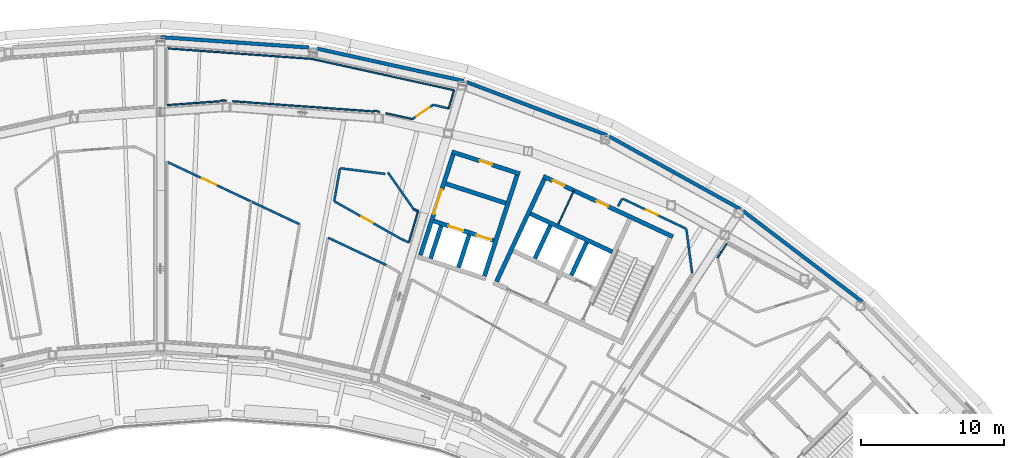
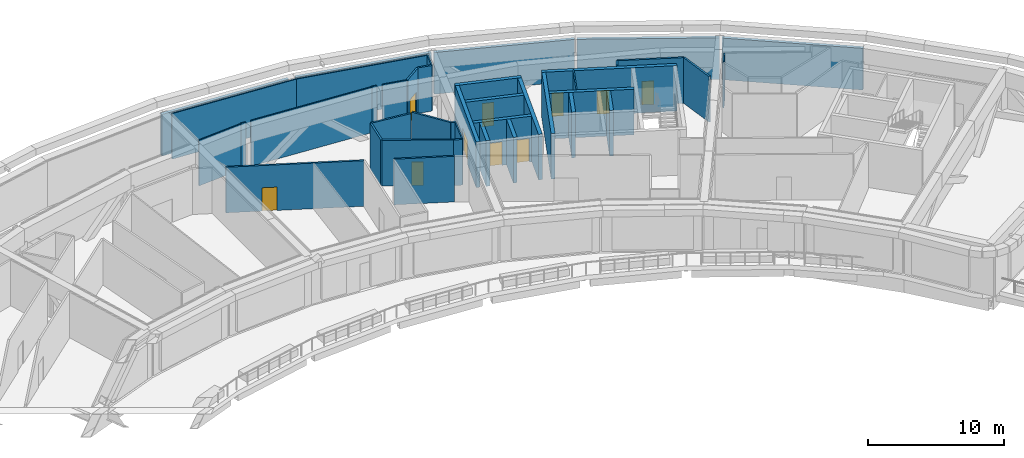
# One storey, part 11 of 24: 41 walls, 10 doors, 10 openings.
"""IFC4 building model written with IfcOpenShell, lengths in metres."""

from ifc_helpers import new_model, si_unit, direction, frame, frame_2d, origin, place, context, subcontext, project, spatial, rectangle, extrude, material, layer, layer_set, type_object, element, fill, save


model = new_model("IFC4")

# Units and contexts
model_context = context("Model", 3, precision=1e-05, world=origin(), true_north=direction((0.0, 1.0)))
body_context = subcontext(model_context, "Body", "Model", "MODEL_VIEW")
ifc_project = project(units=[si_unit("LENGTHUNIT", "METRE"), si_unit("AREAUNIT", "SQUARE_METRE"), si_unit("VOLUMEUNIT", "CUBIC_METRE"), si_unit("PLANEANGLEUNIT", "RADIAN"), si_unit("MASSUNIT", "GRAM", prefix="KILO")], contexts=[model_context])

# Site, building, storey
site_placement = place(None, origin())
site = spatial("IfcSite", under=ifc_project, at=site_placement, CompositionType="ELEMENT")
building_placement = place(site_placement, origin())
building = spatial("IfcBuilding", under=site, at=building_placement, Name="Tuul Gate Civic Tower", CompositionType="ELEMENT")
storey_placement = place(building_placement, frame((0.0, 0.0, 315.199951171875)))
storey = spatial("IfcBuildingStorey", under=building, at=storey_placement, Name="Plant and refuge floor 7", CompositionType="ELEMENT", Elevation=315.199951171875)

# Wall
ifc_material_1 = material(Name="Concrete C50/60", Category="concrete")
ifc_layer_1 = layer(ifc_material_1, 0.300048828125)
ifc_layer_set_1 = layer_set([ifc_layer_1], Name="Concrete C50/60")
wall_type_1 = type_object("IfcWallType", Name="Core wall C50/60", PredefinedType="SHEAR", material=ifc_layer_set_1)
wall_1_placement = place(storey_placement, frame((33.75, -0.873779296875, 0.0), z_axis=(0.0, 0.0, 1.0), x_axis=(-0.906300917592, 0.422632992999, 0.0)))
element("IfcWall", 1, at=wall_1_placement, inside=storey, type_object=wall_type_1, Name="Core wall", PredefinedType="SHEAR", context=body_context, shape_type="SweptSolid", body=[
    extrude(rectangle(XDim=6.300048828125, YDim=0.300048828125, at=frame_2d((3.14990234375, 0.0))), origin(), (0.0, 0.0, 1.0), 4.10009765625),
])

# Wall, openings, doors
wall_2_placement = place(storey_placement, frame((37.993408203125, 0.181884765625, 0.0), z_axis=(0.0, 0.0, 1.0), x_axis=(-0.906310338845, 0.422612789327, 0.0)))
wall_2 = element("IfcWall", 2, at=wall_2_placement, inside=storey, type_object=wall_type_1, Name="Core wall", PredefinedType="SHEAR", context=body_context, shape_type="SweptSolid", body=[
    extrude(rectangle(XDim=9.999755859375, YDim=0.300048828125, at=frame_2d((5.0, 0.0))), origin(), (0.0, 0.0, 1.0), 4.10009765625),
])
opening_1_placement = place(wall_2_placement, frame((4.99365234375, 0.0, 0.0)))
opening_1 = element("IfcOpeningElement", 3, at=opening_1_placement, cuts=wall_2, Name="Opening PC-D26", PredefinedType="OPENING", context=body_context, shape_type="SweptSolid", body=[
    extrude(rectangle(XDim=0.89990234375, YDim=2.10009765625, at=frame_2d((0.449951171875, 1.050048828125))), frame((0.0, 0.16015625, 0.0), z_axis=(0.0, -1.0, 0.0), x_axis=(1.0, 0.0, 0.0)), (0.0, 0.0, 1.0), 0.320068359375),
])
opening_2_placement = place(wall_2_placement, frame((8.368896484375, 0.0, 0.0)))
opening_2 = element("IfcOpeningElement", 4, at=opening_2_placement, cuts=wall_2, Name="Opening PC-D27", PredefinedType="OPENING", context=body_context, shape_type="SweptSolid", body=[
    extrude(rectangle(XDim=0.89990234375, YDim=2.10009765625, at=frame_2d((0.449951171875, 1.050048828125))), frame((0.0, 0.16015625, 0.0), z_axis=(0.0, -1.0, 0.0), x_axis=(1.0, 0.0, 0.0)), (0.0, 0.0, 1.0), 0.320068359375),
])
ifc_material_2 = material(Name="Timber door leaf", Category="wood")
door_type_1 = type_object("IfcDoorType", Name="Door D09", OperationType="NOTDEFINED", PredefinedType="DOOR", material=ifc_material_2)
door_1_placement = place(opening_1_placement, origin())
door_1 = element("IfcDoor", 5, at=door_1_placement, inside=storey, type_object=door_type_1, Name="Door PC-D26", OperationType="SINGLE_SWING_LEFT", OverallHeight=2.10009765625, OverallWidth=0.89990234375, PredefinedType="DOOR", context=body_context, shape_type="SweptSolid", body=[
    extrude(rectangle(XDim=0.89990234375, YDim=2.10009765625, at=frame_2d((0.449951171875, 1.050048828125))), frame((0.0, 0.02490234375, 0.0), z_axis=(0.0, -1.0, 0.0), x_axis=(1.0, 0.0, 0.0)), (0.0, 0.0, 1.0), 0.050048828125),
])
fill(opening_1, door_1)
door_2_placement = place(opening_2_placement, origin())
door_2 = element("IfcDoor", 6, at=door_2_placement, inside=storey, type_object=door_type_1, Name="Door PC-D27", OperationType="SINGLE_SWING_RIGHT", OverallHeight=2.10009765625, OverallWidth=0.89990234375, PredefinedType="DOOR", context=body_context, shape_type="SweptSolid", body=[
    extrude(rectangle(XDim=0.89990234375, YDim=2.10009765625, at=frame_2d((0.449951171875, 1.050048828125))), frame((0.0, 0.02490234375, 0.0), z_axis=(0.0, -1.0, 0.0), x_axis=(1.0, 0.0, 0.0)), (0.0, 0.0, 1.0), 0.050048828125),
])
fill(opening_2, door_2)

# Walls
for number, where, z_axis, x_axis, name in (
    (7, (30.886962890625, -2.517822265625, 0.0), (0.0, 0.0, 1.0), (0.422612891016, 0.906310291427, 0.0), "Core wall"),
    (8, (28.349365234375, -1.33447265625, 0.0), (0.0, 0.0, 1.0), (0.422612891016, 0.906310291427, 0.0), "Core wall"),
):
    element("IfcWall", number, at=place(storey_placement, frame(where, z_axis=z_axis, x_axis=x_axis)), inside=storey, type_object=wall_type_1, Name=name, PredefinedType="SHEAR", context=body_context, shape_type="SweptSolid", body=[
        extrude(rectangle(XDim=2.550048828125, YDim=0.300048828125, at=frame_2d((1.27490234375, 0.0))), origin(), (0.0, 0.0, 1.0), 4.10009765625),
    ])
wall_3_placement = place(storey_placement, frame((25.66455078125, -2.951416015625, 0.0), z_axis=(0.0, 0.0, 1.0), x_axis=(0.422582604137, 0.906324413596, 0.0)))
element("IfcWall", 9, at=wall_3_placement, inside=storey, type_object=wall_type_1, Name="Core wall", PredefinedType="SHEAR", context=body_context, shape_type="SweptSolid", body=[
    extrude(rectangle(XDim=7.89990234375, YDim=0.300048828125, at=frame_2d((3.949951171875, 0.0))), origin(), (0.0, 0.0, 1.0), 4.10009765625),
])
ifc_material_3 = material(Name="Gypsum board partition")
ifc_layer_2 = layer(ifc_material_3, 0.14990234375)
ifc_layer_set_2 = layer_set([ifc_layer_2], Name="Gypsum board partition")
wall_type_2 = type_object("IfcWallType", Name="Corridor wall P150", PredefinedType="PARTITIONING", material=ifc_layer_set_2)
wall_4_placement = place(storey_placement, frame((34.1494140625, 2.30615234375, 0.0), z_axis=(0.0, 0.0, 1.0), x_axis=(0.48020412013, 0.877156772197, 0.0)))
element("IfcWall", 10, at=wall_4_placement, inside=storey, type_object=wall_type_2, Name="p006", PredefinedType="PARTITIONING", context=body_context, shape_type="SweptSolid", body=[
    extrude(rectangle(XDim=0.60693359375, YDim=0.14990234375, at=frame_2d((0.303466796875, 0.0))), origin(), (0.0, 0.0, 1.0), 4.10009765625),
])

# Wall, opening, door
wall_5_placement = place(storey_placement, frame((34.467041015625, 2.84716796875, 0.0), z_axis=(0.0, 0.0, 1.0), x_axis=(0.903938539412, -0.427662386663, 0.0)))
wall_5 = element("IfcWall", 11, at=wall_5_placement, inside=storey, type_object=wall_type_2, Name="p007", PredefinedType="PARTITIONING", context=body_context, shape_type="SweptSolid", body=[
    extrude(rectangle(XDim=4.926513671875, YDim=0.14990234375, at=frame_2d((2.46337890625, 0.0))), origin(), (0.0, 0.0, 1.0), 4.10009765625),
])
opening_3_placement = place(wall_5_placement, frame((1.81298828125, 0.0, 0.0)))
opening_3 = element("IfcOpeningElement", 12, at=opening_3_placement, cuts=wall_5, Name="Opening PC-D02", PredefinedType="OPENING", context=body_context, shape_type="SweptSolid", body=[
    extrude(rectangle(XDim=0.89990234375, YDim=2.10009765625, at=frame_2d((0.449951171875, 1.050048828125))), frame((0.0, 0.0849609375, 0.0), z_axis=(0.0, -1.0, 0.0), x_axis=(1.0, 0.0, 0.0)), (0.0, 0.0, 1.0), 0.169921875),
])
door_3_placement = place(opening_3_placement, origin())
door_3 = element("IfcDoor", 13, at=door_3_placement, inside=storey, type_object=door_type_1, Name="Door PC-D02", OperationType="SINGLE_SWING_RIGHT", OverallHeight=2.10009765625, OverallWidth=0.89990234375, PredefinedType="DOOR", context=body_context, shape_type="SweptSolid", body=[
    extrude(rectangle(XDim=0.89990234375, YDim=2.10009765625, at=frame_2d((0.449951171875, 1.050048828125))), frame((0.0, 0.02490234375, 0.0), z_axis=(0.0, -1.0, 0.0), x_axis=(1.0, 0.0, 0.0)), (0.0, 0.0, 1.0), 0.050048828125),
])
fill(opening_3, door_3)

# Wall
wall_6_placement = place(storey_placement, frame((38.931640625, 0.724853515625, 0.0), z_axis=(0.0, 0.0, 1.0), x_axis=(0.129503397269, -0.991578978244, 0.0)))
element("IfcWall", 14, at=wall_6_placement, inside=storey, type_object=wall_type_2, Name="p008", PredefinedType="PARTITIONING", context=body_context, shape_type="SweptSolid", body=[
    extrude(rectangle(XDim=3.1142578125, YDim=0.14990234375, at=frame_2d((1.55712890625, 0.0))), origin(), (0.0, 0.0, 1.0), 4.10009765625),
])

# Wall, opening, door
wall_7_placement = place(storey_placement, frame((14.332763671875, 2.6591796875, 0.0), z_axis=(0.0, 0.0, 1.0), x_axis=(0.870659601217, -0.491886022173, 0.0)))
wall_7 = element("IfcWall", 15, at=wall_7_placement, inside=storey, type_object=wall_type_2, Name="p010", PredefinedType="PARTITIONING", context=body_context, shape_type="SweptSolid", body=[
    extrude(rectangle(XDim=5.26220703125, YDim=0.14990234375, at=frame_2d((2.631103515625, 0.0))), origin(), (0.0, 0.0, 1.0), 4.10009765625),
])
opening_4_placement = place(wall_7_placement, frame((2.18115234375, 0.0, 0.0)))
opening_4 = element("IfcOpeningElement", 16, at=opening_4_placement, cuts=wall_7, Name="Opening PC-D03", PredefinedType="OPENING", context=body_context, shape_type="SweptSolid", body=[
    extrude(rectangle(XDim=0.89990234375, YDim=2.10009765625, at=frame_2d((0.449951171875, 1.050048828125))), frame((0.0, 0.0849609375, 0.0), z_axis=(0.0, -1.0, 0.0), x_axis=(1.0, 0.0, 0.0)), (0.0, 0.0, 1.0), 0.169921875),
])
door_4_placement = place(opening_4_placement, origin())
door_4 = element("IfcDoor", 17, at=door_4_placement, inside=storey, type_object=door_type_1, Name="Door PC-D03", OperationType="SINGLE_SWING_RIGHT", OverallHeight=2.10009765625, OverallWidth=0.89990234375, PredefinedType="DOOR", context=body_context, shape_type="SweptSolid", body=[
    extrude(rectangle(XDim=0.89990234375, YDim=2.10009765625, at=frame_2d((0.449951171875, 1.050048828125))), frame((0.0, 0.02490234375, 0.0), z_axis=(0.0, -1.0, 0.0), x_axis=(1.0, 0.0, 0.0)), (0.0, 0.0, 1.0), 0.050048828125),
])
fill(opening_4, door_4)

# Walls
wall_8_placement = place(storey_placement, frame((14.322998046875, 2.68017578125, 0.0), z_axis=(0.0, 0.0, 1.0), x_axis=(0.173555919462, 0.984824016167, 0.0)))
element("IfcWall", 18, at=wall_8_placement, inside=storey, type_object=wall_type_2, Name="p014", PredefinedType="PARTITIONING", context=body_context, shape_type="SweptSolid", body=[
    extrude(rectangle(XDim=2.306884765625, YDim=0.14990234375, at=frame_2d((1.1533203125, 0.0))), origin(), (0.0, 0.0, 1.0), 4.10009765625),
])
wall_9_placement = place(storey_placement, frame((14.74560546875, 4.968505859375, 0.0), z_axis=(0.0, 0.0, 1.0), x_axis=(0.992147871107, -0.125070387611, 0.0)))
element("IfcWall", 19, at=wall_9_placement, inside=storey, type_object=wall_type_2, Name="p015", PredefinedType="PARTITIONING", context=body_context, shape_type="SweptSolid", body=[
    extrude(rectangle(XDim=3.162353515625, YDim=0.14990234375, at=frame_2d((1.5810546875, 0.0))), origin(), (0.0, 0.0, 1.0), 4.10009765625),
])
wall_10_placement = place(storey_placement, frame((18.07177734375, 4.67724609375, 0.0), z_axis=(0.0, 0.0, 1.0), x_axis=(0.573145301461, -0.819453759167, 0.0)))
element("IfcWall", 20, at=wall_10_placement, inside=storey, type_object=wall_type_2, Name="p016", PredefinedType="PARTITIONING", context=body_context, shape_type="SweptSolid", body=[
    extrude(rectangle(XDim=3.153076171875, YDim=0.14990234375, at=frame_2d((1.57666015625, 0.0))), origin(), (0.0, 0.0, 1.0), 4.10009765625),
])
wall_11_placement = place(storey_placement, frame((19.8798828125, 2.093017578125, 0.0), z_axis=(0.0, 0.0, 1.0), x_axis=(0.928630438653, -0.371006075971, 0.0)))
element("IfcWall", 21, at=wall_11_placement, inside=storey, type_object=wall_type_2, Name="p017", PredefinedType="PARTITIONING", context=body_context, shape_type="SweptSolid", body=[
    extrude(rectangle(XDim=0.328369140625, YDim=0.14990234375, at=frame_2d((0.1640625, 0.0))), origin(), (0.0, 0.0, 1.0), 4.10009765625),
])
wall_12_placement = place(storey_placement, frame((18.91552734375, 0.0703125, 0.0), z_axis=(0.0, 0.0, 1.0), x_axis=(0.904567059144, -0.4263313682, 0.0)))
element("IfcWall", 22, at=wall_12_placement, inside=storey, type_object=wall_type_2, Name="p018", PredefinedType="PARTITIONING", context=body_context, shape_type="SweptSolid", body=[
    extrude(rectangle(XDim=0.68212890625, YDim=0.14990234375, at=frame_2d((0.341064453125, 0.0))), origin(), (0.0, 0.0, 1.0), 4.10009765625),
])

# Wall, opening, door
wall_13_placement = place(storey_placement, frame((19.779052734375, 8.40478515625, 0.0), z_axis=(0.0, 0.0, 1.0), x_axis=(0.826515997759, 0.562913230834, 0.0)))
wall_13 = element("IfcWall", 23, at=wall_13_placement, inside=storey, type_object=wall_type_2, Name="p038", PredefinedType="PARTITIONING", context=body_context, shape_type="SweptSolid", body=[
    extrude(rectangle(XDim=1.770751953125, YDim=0.14990234375, at=frame_2d((0.88525390625, 0.0))), origin(), (0.0, 0.0, 1.0), 4.10009765625),
])
opening_5_placement = place(wall_13_placement, frame((0.335205078125, 0.0, 0.0)))
opening_5 = element("IfcOpeningElement", 24, at=opening_5_placement, cuts=wall_13, Name="Opening PC-D09", PredefinedType="OPENING", context=body_context, shape_type="SweptSolid", body=[
    extrude(rectangle(XDim=1.10009765625, YDim=2.10009765625, at=frame_2d((0.550048828125, 1.050048828125))), frame((0.0, 0.0849609375, 0.0), z_axis=(0.0, -1.0, 0.0), x_axis=(1.0, 0.0, 0.0)), (0.0, 0.0, 1.0), 0.169921875),
])
ifc_material_4 = material(Name="Timber door leaf", Category="wood")
door_type_2 = type_object("IfcDoorType", Name="Door D11", OperationType="NOTDEFINED", PredefinedType="DOOR", material=ifc_material_4)
door_5_placement = place(opening_5_placement, origin())
door_5 = element("IfcDoor", 25, at=door_5_placement, inside=storey, type_object=door_type_2, Name="Door PC-D09", OperationType="SINGLE_SWING_LEFT", OverallHeight=2.10009765625, OverallWidth=1.10009765625, PredefinedType="DOOR", context=body_context, shape_type="SweptSolid", body=[
    extrude(rectangle(XDim=1.10009765625, YDim=2.10009765625, at=frame_2d((0.550048828125, 1.050048828125))), frame((0.0, 0.02490234375, 0.0), z_axis=(0.0, -1.0, 0.0), x_axis=(1.0, 0.0, 0.0)), (0.0, 0.0, 1.0), 0.050048828125),
])
fill(opening_5, door_5)

# Wall
wall_14_placement = place(storey_placement, frame((21.243408203125, 9.401611328125, 0.0), z_axis=(0.0, 0.0, 1.0), x_axis=(0.973679844999, -0.227920072487, 0.0)))
element("IfcWall", 26, at=wall_14_placement, inside=storey, type_object=wall_type_2, Name="p039", PredefinedType="PARTITIONING", context=body_context, shape_type="SweptSolid", body=[
    extrude(rectangle(XDim=1.1064453125, YDim=0.14990234375, at=frame_2d((0.55322265625, 0.0))), origin(), (0.0, 0.0, 1.0), 4.10009765625),
])

# Wall, opening, door
wall_15_placement = place(storey_placement, frame((2.64208984375, 5.41552734375, 0.0), z_axis=(0.0, 0.0, 1.0), x_axis=(0.904634049561, -0.426189202556, 0.0)))
wall_15 = element("IfcWall", 27, at=wall_15_placement, inside=storey, type_object=wall_type_2, Name="p044", PredefinedType="PARTITIONING", context=body_context, shape_type="SweptSolid", body=[
    extrude(rectangle(XDim=10.222412109375, YDim=0.14990234375, at=frame_2d((5.111328125, 0.0))), origin(), (0.0, 0.0, 1.0), 4.10009765625),
])
opening_6_placement = place(wall_15_placement, frame((2.692138671875, 0.0, 0.0)))
opening_6 = element("IfcOpeningElement", 28, at=opening_6_placement, cuts=wall_15, Name="Opening PC-D11", PredefinedType="OPENING", context=body_context, shape_type="SweptSolid", body=[
    extrude(rectangle(XDim=1.10009765625, YDim=2.10009765625, at=frame_2d((0.550048828125, 1.050048828125))), frame((0.0, 0.0849609375, 0.0), z_axis=(0.0, -1.0, 0.0), x_axis=(1.0, 0.0, 0.0)), (0.0, 0.0, 1.0), 0.169921875),
])
door_6_placement = place(opening_6_placement, frame((1.10009765625, 0.0, 0.0), z_axis=(0.0, 0.0, 1.0), x_axis=(-1.0, 0.0, 0.0)))
door_6 = element("IfcDoor", 29, at=door_6_placement, inside=storey, type_object=door_type_2, Name="Door PC-D11", OperationType="SINGLE_SWING_LEFT", OverallHeight=2.10009765625, OverallWidth=1.10009765625, PredefinedType="DOOR", context=body_context, shape_type="SweptSolid", body=[
    extrude(rectangle(XDim=1.10009765625, YDim=2.10009765625, at=frame_2d((0.550048828125, 1.050048828125))), frame((0.0, 0.02490234375, 0.0), z_axis=(0.0, -1.0, 0.0), x_axis=(1.0, 0.0, 0.0)), (0.0, 0.0, 1.0), 0.050048828125),
])
fill(opening_6, door_6)

# Walls
wall_16_placement = place(storey_placement, frame((13.89599609375, 0.11376953125, 0.0), z_axis=(0.0, 0.0, 1.0), x_axis=(0.904634608103, -0.426188016985, 0.0)))
element("IfcWall", 30, at=wall_16_placement, inside=storey, type_object=wall_type_2, Name="p045", PredefinedType="PARTITIONING", context=body_context, shape_type="SweptSolid", body=[
    extrude(rectangle(XDim=4.480224609375, YDim=0.14990234375, at=frame_2d((2.240234375, 0.0))), origin(), (0.0, 0.0, 1.0), 4.10009765625),
])
ifc_material_5 = material(Name="Precast concrete C40/50", Category="concrete")
ifc_layer_3 = layer(ifc_material_5, 0.25)
ifc_layer_set_3 = layer_set([ifc_layer_3], Name="Precast concrete C40/50")
wall_type_3 = type_object("IfcWallType", Name="External wall", PredefinedType="STANDARD", material=ifc_layer_set_3)
wall_17_placement = place(storey_placement, frame((51.231689453125, -4.363037109375, 0.0), z_axis=(0.0, 0.0, 1.0), x_axis=(-0.795609236307, 0.605810154342, 0.0)))
element("IfcWall", 31, at=wall_17_placement, inside=storey, type_object=wall_type_3, Name="External wall", PredefinedType="STANDARD", context=body_context, shape_type="SweptSolid", body=[
    extrude(rectangle(XDim=10.4794921875, YDim=0.25, at=frame_2d((5.23974609375, 0.0))), origin(), (0.0, 0.0, 1.0), 3.75),
])
wall_18_placement = place(storey_placement, frame((42.723876953125, 2.10498046875, 0.0), z_axis=(0.0, 0.0, 1.0), x_axis=(-0.874633666585, 0.484784435884, 0.0)))
element("IfcWall", 32, at=wall_18_placement, inside=storey, type_object=wall_type_3, Name="External wall", PredefinedType="STANDARD", context=body_context, shape_type="SweptSolid", body=[
    extrude(rectangle(XDim=10.482177734375, YDim=0.25, at=frame_2d((5.2412109375, 0.0))), origin(), (0.0, 0.0, 1.0), 3.75),
])
wall_19_placement = place(storey_placement, frame((33.3798828125, 7.281982421875, 0.0), z_axis=(0.0, 0.0, 1.0), x_axis=(-0.935341215918, 0.353746815964, 0.0)))
element("IfcWall", 33, at=wall_19_placement, inside=storey, type_object=wall_type_3, Name="External wall", PredefinedType="STANDARD", context=body_context, shape_type="SweptSolid", body=[
    extrude(rectangle(XDim=10.489013671875, YDim=0.25, at=frame_2d((5.24462890625, 0.0))), origin(), (0.0, 0.0, 1.0), 3.75),
])
wall_20_placement = place(storey_placement, frame((23.36376953125, 11.0703125, 0.0), z_axis=(0.0, 0.0, 1.0), x_axis=(-0.97656531181, 0.215221262356, 0.0)))
element("IfcWall", 34, at=wall_20_placement, inside=storey, type_object=wall_type_3, Name="External wall", PredefinedType="STANDARD", context=body_context, shape_type="SweptSolid", body=[
    extrude(rectangle(XDim=10.468017578125, YDim=0.25, at=frame_2d((5.23388671875, 0.0))), origin(), (0.0, 0.0, 1.0), 3.75),
])
wall_21_placement = place(storey_placement, frame((12.54443359375, 13.40380859375, 0.0), z_axis=(0.0, 0.0, 1.0), x_axis=(-0.997539723887, 0.070103489699, 0.0)))
element("IfcWall", 35, at=wall_21_placement, inside=storey, type_object=wall_type_3, Name="External wall", PredefinedType="STANDARD", context=body_context, shape_type="SweptSolid", body=[
    extrude(rectangle(XDim=10.378173828125, YDim=0.25, at=frame_2d((5.18896484375, 0.0))), origin(), (0.0, 0.0, 1.0), 3.75),
])

# Wall, openings, doors
ifc_material_6 = material(Name="Concrete C40/50", Category="concrete")
ifc_layer_4 = layer(ifc_material_6, 0.300048828125)
ifc_layer_set_4 = layer_set([ifc_layer_4], Name="Concrete C40/50")
wall_type_4 = type_object("IfcWallType", Name="Lift shaft wall C40/50", PredefinedType="STANDARD", material=ifc_layer_set_4)
wall_22_placement = place(storey_placement, frame((25.460693359375, -0.0859375, 0.0), z_axis=(0.0, 0.0, 1.0), x_axis=(-0.951063829732, 0.308994485023, 0.0)))
wall_22 = element("IfcWall", 36, at=wall_22_placement, inside=storey, type_object=wall_type_4, Name="Shaft wall", PredefinedType="STANDARD", context=body_context, shape_type="SweptSolid", body=[
    extrude(rectangle(XDim=4.400146484375, YDim=0.300048828125, at=frame_2d((2.2001953125, 0.0))), origin(), (0.0, 0.0, 1.0), 4.10009765625),
])
opening_7_placement = place(wall_22_placement, frame((0.175048828125, 0.0, 0.0)))
opening_7 = element("IfcOpeningElement", 37, at=opening_7_placement, cuts=wall_22, Name="Opening LD-H2", PredefinedType="OPENING", context=body_context, shape_type="SweptSolid", body=[
    extrude(rectangle(XDim=1.10009765625, YDim=2.10009765625, at=frame_2d((0.550048828125, 1.050048828125))), frame((0.0, 0.16015625, 0.0), z_axis=(0.0, -1.0, 0.0), x_axis=(1.0, 0.0, 0.0)), (0.0, 0.0, 1.0), 0.320068359375),
])
opening_8_placement = place(wall_22_placement, frame((2.22509765625, 0.0, 0.0)))
opening_8 = element("IfcOpeningElement", 38, at=opening_8_placement, cuts=wall_22, Name="Opening LD-H3", PredefinedType="OPENING", context=body_context, shape_type="SweptSolid", body=[
    extrude(rectangle(XDim=1.10009765625, YDim=2.10009765625, at=frame_2d((0.550048828125, 1.050048828125))), frame((0.0, 0.16015625, 0.0), z_axis=(0.0, -1.0, 0.0), x_axis=(1.0, 0.0, 0.0)), (0.0, 0.0, 1.0), 0.320068359375),
])
ifc_material_7 = material(Name="Stainless steel", Category="steel")
door_type_3 = type_object("IfcDoorType", Name="Landing door", OperationType="DOUBLE_DOOR_SLIDING", PredefinedType="DOOR", material=ifc_material_7)
door_7_placement = place(opening_7_placement, origin())
door_7 = element("IfcDoor", 39, at=door_7_placement, inside=storey, type_object=door_type_3, Name="High-rise lift H2 landing door", OperationType="DOUBLE_DOOR_SLIDING", OverallHeight=2.10009765625, OverallWidth=1.10009765625, PredefinedType="DOOR", context=body_context, shape_type="SweptSolid", body=[
    extrude(rectangle(XDim=1.10009765625, YDim=2.10009765625, at=frame_2d((0.550048828125, 1.050048828125))), frame((0.0, 0.02490234375, 0.0), z_axis=(0.0, -1.0, 0.0), x_axis=(1.0, 0.0, 0.0)), (0.0, 0.0, 1.0), 0.050048828125),
])
fill(opening_7, door_7)
door_8_placement = place(opening_8_placement, origin())
door_8 = element("IfcDoor", 40, at=door_8_placement, inside=storey, type_object=door_type_3, Name="High-rise lift H3 landing door", OperationType="DOUBLE_DOOR_SLIDING", OverallHeight=2.10009765625, OverallWidth=1.10009765625, PredefinedType="DOOR", context=body_context, shape_type="SweptSolid", body=[
    extrude(rectangle(XDim=1.10009765625, YDim=2.10009765625, at=frame_2d((0.550048828125, 1.050048828125))), frame((0.0, 0.02490234375, 0.0), z_axis=(0.0, -1.0, 0.0), x_axis=(1.0, 0.0, 0.0)), (0.0, 0.0, 1.0), 0.050048828125),
])
fill(opening_8, door_8)

# Wall
wall_23_placement = place(storey_placement, frame((26.310546875, 2.529541015625, 0.0), z_axis=(0.0, 0.0, 1.0), x_axis=(-0.951058531764, 0.30901079133, 0.0)))
element("IfcWall", 41, at=wall_23_placement, inside=storey, type_object=wall_type_4, Name="Shaft wall", PredefinedType="STANDARD", context=body_context, shape_type="SweptSolid", body=[
    extrude(rectangle(XDim=4.39990234375, YDim=0.300048828125, at=frame_2d((2.199951171875, 0.0))), origin(), (0.0, 0.0, 1.0), 4.10009765625),
])

# Wall, opening, door
wall_24_placement = place(storey_placement, frame((27.29150390625, 4.57666015625, 0.0), z_axis=(0.0, 0.0, 1.0), x_axis=(-0.951067792613, 0.308982287281, 0.0)))
wall_24 = element("IfcWall", 42, at=wall_24_placement, inside=storey, type_object=wall_type_4, Name="Shaft wall", PredefinedType="STANDARD", context=body_context, shape_type="SweptSolid", body=[
    extrude(rectangle(XDim=5.0, YDim=0.300048828125, at=frame_2d((2.5, 0.0))), origin(), (0.0, 0.0, 1.0), 4.10009765625),
])
opening_9_placement = place(wall_24_placement, frame((2.050048828125, 0.0, 0.0)))
opening_9 = element("IfcOpeningElement", 43, at=opening_9_placement, cuts=wall_24, Name="Opening PC-D28", PredefinedType="OPENING", context=body_context, shape_type="SweptSolid", body=[
    extrude(rectangle(XDim=0.89990234375, YDim=2.10009765625, at=frame_2d((0.449951171875, 1.050048828125))), frame((0.0, 0.16015625, 0.0), z_axis=(0.0, -1.0, 0.0), x_axis=(1.0, 0.0, 0.0)), (0.0, 0.0, 1.0), 0.320068359375),
])
door_9_placement = place(opening_9_placement, origin())
door_9 = element("IfcDoor", 44, at=door_9_placement, inside=storey, type_object=door_type_1, Name="Door PC-D28", OperationType="SINGLE_SWING_LEFT", OverallHeight=2.10009765625, OverallWidth=0.89990234375, PredefinedType="DOOR", context=body_context, shape_type="SweptSolid", body=[
    extrude(rectangle(XDim=0.89990234375, YDim=2.10009765625, at=frame_2d((0.449951171875, 1.050048828125))), frame((0.0, 0.02490234375, 0.0), z_axis=(0.0, -1.0, 0.0), x_axis=(1.0, 0.0, 0.0)), (0.0, 0.0, 1.0), 0.050048828125),
])
fill(opening_9, door_9)

# Walls
wall_25_placement = place(storey_placement, frame((24.815185546875, -2.557373046875, 0.0), z_axis=(0.0, 0.0, 1.0), x_axis=(0.30907264409, 0.951038432807, 0.0)))
element("IfcWall", 45, at=wall_25_placement, inside=storey, type_object=wall_type_4, Name="Shaft wall", PredefinedType="STANDARD", context=body_context, shape_type="SweptSolid", body=[
    extrude(rectangle(XDim=7.39990234375, YDim=0.300048828125, at=frame_2d((3.699951171875, 0.0))), origin(), (0.0, 0.0, 1.0), 4.10009765625),
])
for number, where, z_axis, x_axis, name in (
    (46, (23.008056640625, -1.97021484375, 0.0), (0.0, 0.0, 1.0), (0.309138975195, 0.951016873675, 0.0), "Shaft wall"),
    (47, (21.058349609375, -1.336669921875, 0.0), (0.0, 0.0, 1.0), (0.309138975195, 0.951016873675, 0.0), "Shaft wall"),
):
    element("IfcWall", number, at=place(storey_placement, frame(where, z_axis=z_axis, x_axis=x_axis)), inside=storey, type_object=wall_type_4, Name=name, PredefinedType="STANDARD", context=body_context, shape_type="SweptSolid", body=[
        extrude(rectangle(XDim=2.400146484375, YDim=0.300048828125, at=frame_2d((1.2001953125, 0.0))), origin(), (0.0, 0.0, 1.0), 4.10009765625),
    ])

# Wall, opening, door
wall_26_placement = place(storey_placement, frame((20.34521484375, -1.10498046875, 0.0), z_axis=(0.0, 0.0, 1.0), x_axis=(0.30907264409, 0.951038432807, 0.0)))
wall_26 = element("IfcWall", 48, at=wall_26_placement, inside=storey, type_object=wall_type_4, Name="Shaft wall", PredefinedType="STANDARD", context=body_context, shape_type="SweptSolid", body=[
    extrude(rectangle(XDim=7.39990234375, YDim=0.300048828125, at=frame_2d((3.699951171875, 0.0))), origin(), (0.0, 0.0, 1.0), 4.10009765625),
])
opening_10_placement = place(wall_26_placement, frame((3.02490234375, 0.0, 0.0)))
opening_10 = element("IfcOpeningElement", 49, at=opening_10_placement, cuts=wall_26, Name="Opening LB-E4-LOBBY-1", PredefinedType="OPENING", context=body_context, shape_type="SweptSolid", body=[
    extrude(rectangle(XDim=1.800048828125, YDim=2.10009765625, at=frame_2d((0.89990234375, 1.050048828125))), frame((0.0, 0.16015625, 0.0), z_axis=(0.0, -1.0, 0.0), x_axis=(1.0, 0.0, 0.0)), (0.0, 0.0, 1.0), 0.320068359375),
])
ifc_material_8 = material(Name="Steel", Category="steel")
door_type_4 = type_object("IfcDoorType", Name="Lobby door", OperationType="DOUBLE_DOOR_SINGLE_SWING", PredefinedType="DOOR", material=ifc_material_8)
door_10_placement = place(opening_10_placement, frame((1.800048828125, 0.0, 0.0), z_axis=(0.0, 0.0, 1.0), x_axis=(-1.0, 0.0, 0.0)))
door_10 = element("IfcDoor", 50, at=door_10_placement, inside=storey, type_object=door_type_4, Name="Lobby door E4-LOBBY", OperationType="DOUBLE_DOOR_SINGLE_SWING", OverallHeight=2.10009765625, OverallWidth=1.800048828125, PredefinedType="DOOR", context=body_context, shape_type="SweptSolid", body=[
    extrude(rectangle(XDim=1.800048828125, YDim=2.10009765625, at=frame_2d((0.900146484375, 1.050048828125))), frame((0.0, 0.02490234375, 0.0), z_axis=(0.0, -1.0, 0.0), x_axis=(1.0, 0.0, 0.0)), (0.0, 0.0, 1.0), 0.050048828125),
])
fill(opening_10, door_10)

# Walls
ifc_material_9 = material(Name="Gypsum board partition")
ifc_layer_5 = layer(ifc_material_9, 0.10009765625)
ifc_layer_set_5 = layer_set([ifc_layer_5], Name="Gypsum board partition")
wall_type_5 = type_object("IfcWallType", Name="Partition P100", PredefinedType="PARTITIONING", material=ifc_layer_set_5)
wall_27_placement = place(storey_placement, frame((41.114013671875, -1.284912109375, 0.0), z_axis=(0.0, 0.0, 1.0), x_axis=(0.546664753703, 0.83735156718, 0.0)))
element("IfcWall", 51, at=wall_27_placement, inside=storey, type_object=wall_type_5, Name="p071", PredefinedType="PARTITIONING", context=body_context, shape_type="SweptSolid", body=[
    extrude(rectangle(XDim=1.181640625, YDim=0.10009765625, at=frame_2d((0.5908203125, 0.0))), origin(), (0.0, 0.0, 1.0), 4.10009765625),
])
wall_28_placement = place(storey_placement, frame((20.184814453125, 1.97119140625, 0.0), z_axis=(0.0, 0.0, 1.0), x_axis=(-0.285280449647, -0.95844408551, 0.0)))
element("IfcWall", 52, at=wall_28_placement, inside=storey, type_object=wall_type_5, Name="p076", PredefinedType="PARTITIONING", context=body_context, shape_type="SweptSolid", body=[
    extrude(rectangle(XDim=2.28662109375, YDim=0.10009765625, at=frame_2d((1.143310546875, 0.0))), origin(), (0.0, 0.0, 1.0), 4.10009765625),
])
wall_29_placement = place(storey_placement, frame((19.779052734375, 8.40478515625, 0.0), z_axis=(0.0, 0.0, 1.0), x_axis=(-0.976555811482, 0.215264365517, 0.0)))
element("IfcWall", 53, at=wall_29_placement, inside=storey, type_object=wall_type_5, Name="p089", PredefinedType="PARTITIONING", context=body_context, shape_type="SweptSolid", body=[
    extrude(rectangle(XDim=1.90869140625, YDim=0.10009765625, at=frame_2d((0.954345703125, 0.0))), origin(), (0.0, 0.0, 1.0), 4.10009765625),
])
wall_30_placement = place(storey_placement, frame((17.5029296875, 8.906494140625, 0.0), z_axis=(0.0, 0.0, 1.0), x_axis=(-0.976543679102, 0.21531939719, 0.0)))
element("IfcWall", 54, at=wall_30_placement, inside=storey, type_object=wall_type_5, Name="p090", PredefinedType="PARTITIONING", context=body_context, shape_type="SweptSolid", body=[
    extrude(rectangle(XDim=0.417236328125, YDim=0.10009765625, at=frame_2d((0.20849609375, 0.0))), origin(), (0.0, 0.0, 1.0), 4.10009765625),
])
wall_31_placement = place(storey_placement, frame((17.082275390625, 8.93701171875, 0.0), z_axis=(0.0, 0.0, 1.0), x_axis=(-0.99738404875, 0.072284571655, 0.0)))
element("IfcWall", 55, at=wall_31_placement, inside=storey, type_object=wall_type_5, Name="p091", PredefinedType="PARTITIONING", context=body_context, shape_type="SweptSolid", body=[
    extrude(rectangle(XDim=9.8994140625, YDim=0.10009765625, at=frame_2d((4.94970703125, 0.0))), origin(), (0.0, 0.0, 1.0), 4.10009765625),
])
wall_32_placement = place(storey_placement, frame((6.7880859375, 9.68310546875, 0.0), z_axis=(0.0, 0.0, 1.0), x_axis=(-0.99736889202, 0.072493401296, 0.0)))
element("IfcWall", 56, at=wall_32_placement, inside=storey, type_object=wall_type_5, Name="p092", PredefinedType="PARTITIONING", context=body_context, shape_type="SweptSolid", body=[
    extrude(rectangle(XDim=0.417724609375, YDim=0.10009765625, at=frame_2d((0.208984375, 0.0))), origin(), (0.0, 0.0, 1.0), 4.10009765625),
])
wall_33_placement = place(storey_placement, frame((6.3671875, 9.652587890625, 0.0), z_axis=(0.0, 0.0, 1.0), x_axis=(-0.997383156749, -0.072296878448, 0.0)))
element("IfcWall", 57, at=wall_33_placement, inside=storey, type_object=wall_type_5, Name="p093", PredefinedType="PARTITIONING", context=body_context, shape_type="SweptSolid", body=[
    extrude(rectangle(XDim=3.73486328125, YDim=0.10009765625, at=frame_2d((1.867431640625, 0.0))), origin(), (0.0, 0.0, 1.0), 4.10009765625),
])
wall_34_placement = place(storey_placement, frame((2.64208984375, 13.34423828125, 0.0), z_axis=(0.0, 0.0, 1.0), x_axis=(0.997382762237, -0.072302320795, 0.0)))
element("IfcWall", 58, at=wall_34_placement, inside=storey, type_object=wall_type_5, Name="p095", PredefinedType="PARTITIONING", context=body_context, shape_type="SweptSolid", body=[
    extrude(rectangle(XDim=10.160400390625, YDim=0.10009765625, at=frame_2d((5.080078125, 0.0))), origin(), (0.0, 0.0, 1.0), 4.10009765625),
])
wall_35_placement = place(storey_placement, frame((12.77587890625, 12.609619140625, 0.0), z_axis=(0.0, 0.0, 1.0), x_axis=(0.976566562111, -0.215215589042, 0.0)))
element("IfcWall", 59, at=wall_35_placement, inside=storey, type_object=wall_type_5, Name="p096", PredefinedType="PARTITIONING", context=body_context, shape_type="SweptSolid", body=[
    extrude(rectangle(XDim=10.161865234375, YDim=0.10009765625, at=frame_2d((5.0810546875, 0.0))), origin(), (0.0, 0.0, 1.0), 4.10009765625),
])
wall_36_placement = place(storey_placement, frame((22.69970703125, 10.422607421875, 0.0), z_axis=(0.0, 0.0, 1.0), x_axis=(-0.28523952528, -0.958456265678, 0.0)))
element("IfcWall", 60, at=wall_36_placement, inside=storey, type_object=wall_type_5, Name="p097", PredefinedType="PARTITIONING", context=body_context, shape_type="SweptSolid", body=[
    extrude(rectangle(XDim=1.328369140625, YDim=0.10009765625, at=frame_2d((0.6640625, 0.0))), origin(), (0.0, 0.0, 1.0), 4.10009765625),
])
wall_37_placement = place(storey_placement, frame((29.972900390625, 1.052978515625, 0.0), z_axis=(0.0, 0.0, 1.0), x_axis=(0.422556439746, 0.906336612539, 0.0)))
element("IfcWall", 61, at=wall_37_placement, inside=storey, type_object=wall_type_5, Name="bE3-BAND-0", PredefinedType="PARTITIONING", context=body_context, shape_type="SweptSolid", body=[
    extrude(rectangle(XDim=2.599853515625, YDim=0.10009765625, at=frame_2d((1.2998046875, 0.0))), origin(), (0.0, 0.0, 1.0), 4.10009765625),
])

save(model, "model.ifc")
